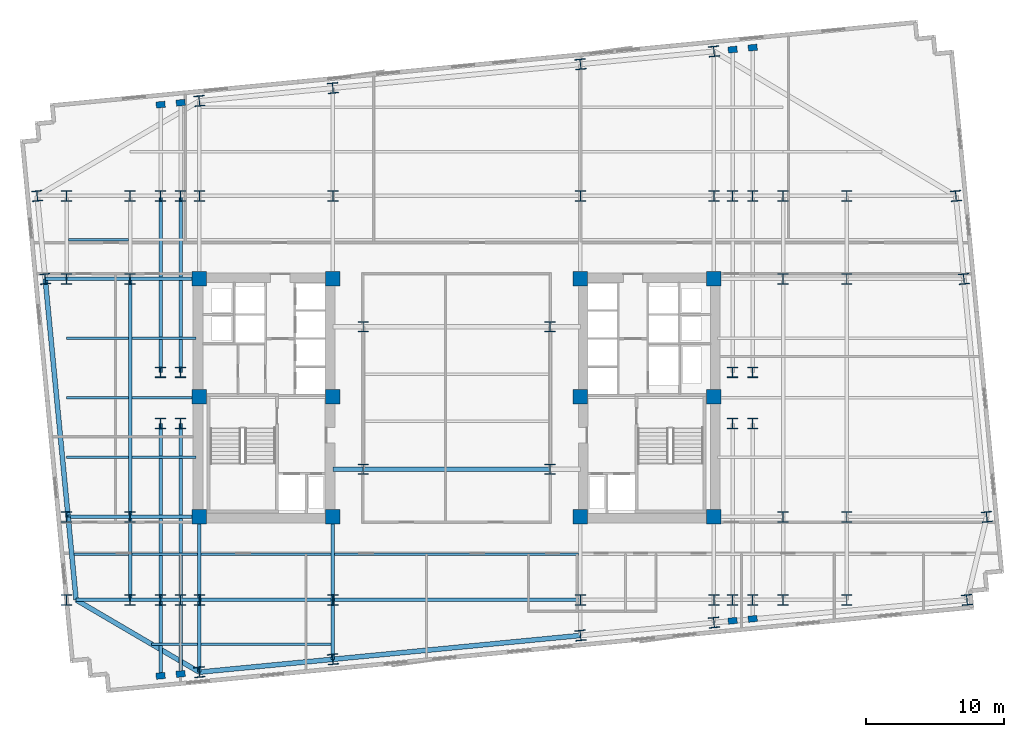
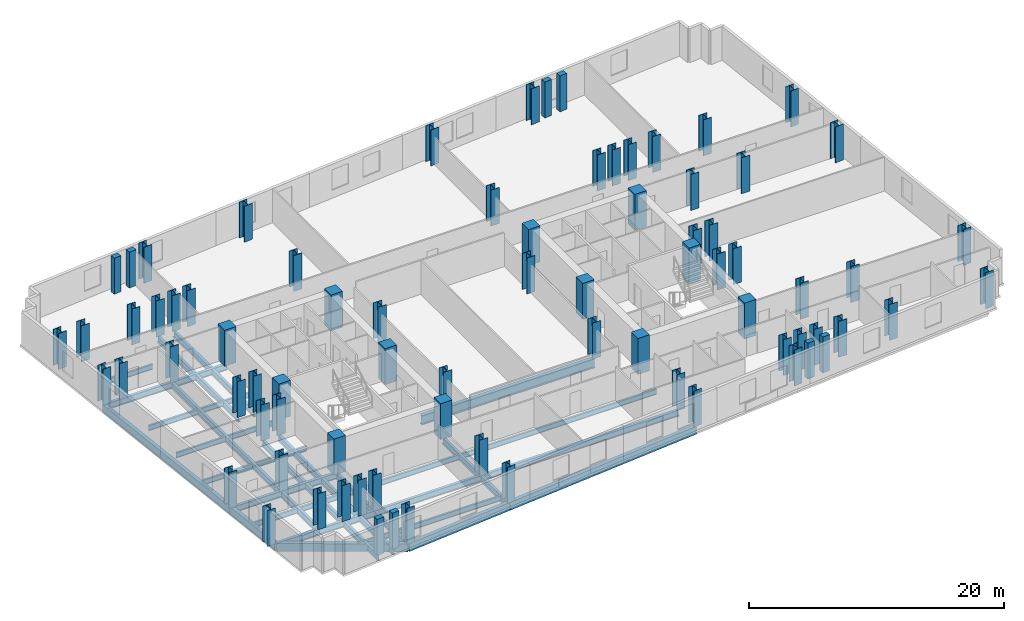
# One storey, part 1 of 10: 78 columns, 41 beams.
"""IFC4 building model written with IfcOpenShell, lengths in metres."""

from ifc_helpers import new_model, si_unit, direction, frame, origin, origin_2d, place, context, subcontext, project, spatial, rectangle, i_section, extrude, material, material_profile, profile_set, type_object, element, save


model = new_model("IFC4")

# Units and contexts
model_context = context("Model", 3, precision=1e-05, world=origin(), true_north=direction((0.0, 1.0)))
body_context = subcontext(model_context, "Body", "Model", "MODEL_VIEW")
ifc_project = project(units=[si_unit("LENGTHUNIT", "METRE"), si_unit("AREAUNIT", "SQUARE_METRE"), si_unit("VOLUMEUNIT", "CUBIC_METRE"), si_unit("PLANEANGLEUNIT", "RADIAN"), si_unit("MASSUNIT", "GRAM", prefix="KILO")], contexts=[model_context])

# Site, building, storey
site_placement = place(None, origin())
site = spatial("IfcSite", under=ifc_project, at=site_placement, CompositionType="ELEMENT")
building_placement = place(site_placement, origin())
building = spatial("IfcBuilding", under=site, at=building_placement, Name="Velakula Bourse", CompositionType="ELEMENT")
storey_placement = place(building_placement, frame((0.0, 0.0, 88.0)))
storey = spatial("IfcBuildingStorey", under=building, at=storey_placement, Name="L23", CompositionType="ELEMENT", Elevation=88.0)

# Columns
ifc_material_1 = material(Name="Concrete M70 (fck 70 MPa)", Category="concrete")
ifc_material_profile_1 = material_profile(ifc_material_1, rectangle(XDim=1.050048828125, YDim=1.050048828125, at=origin_2d()), Name="Concrete M70 (fck 70 MPa)")
ifc_profile_set_1 = profile_set([ifc_material_profile_1], Name="Concrete M70 (fck 70 MPa)")
column_type_1 = type_object("IfcColumnType", Name="COL-RC-1050", PredefinedType="COLUMN", material=ifc_profile_set_1)
for number, where, z_axis, x_axis, name in (
    (1, (-8.949951171875, -8.60009765625, 0.0), (0.0, 0.0, 1.0), (1.0, 0.0, 0.0), "L23 Core Boundary Column 01"),
    (2, (-8.949951171875, 0.10009765625, 0.0), (0.0, 0.0, 1.0), (1.0, 0.0, 0.0), "L23 Core Boundary Column 02"),
    (3, (-8.949951171875, 8.60009765625, 0.0), (0.0, 0.0, 1.0), (1.0, 0.0, 0.0), "L23 Core Boundary Column 03"),
    (4, (-18.60009765625, -8.60009765625, 0.0), (0.0, 0.0, 1.0), (1.0, 0.0, 0.0), "L23 Core Boundary Column 04"),
    (5, (-18.60009765625, 0.10009765625, 0.0), (0.0, 0.0, 1.0), (1.0, 0.0, 0.0), "L23 Core Boundary Column 05"),
    (6, (-18.60009765625, 8.60009765625, 0.0), (0.0, 0.0, 1.0), (1.0, 0.0, 0.0), "L23 Core Boundary Column 06"),
    (7, (8.949951171875, -8.60009765625, 0.0), (0.0, 0.0, 1.0), (1.0, 0.0, 0.0), "L23 Core Boundary Column 07"),
    (8, (8.949951171875, 0.10009765625, 0.0), (0.0, 0.0, 1.0), (1.0, 0.0, 0.0), "L23 Core Boundary Column 08"),
    (9, (8.949951171875, 8.60009765625, 0.0), (0.0, 0.0, 1.0), (1.0, 0.0, 0.0), "L23 Core Boundary Column 09"),
    (10, (18.60009765625, -8.60009765625, 0.0), (0.0, 0.0, 1.0), (1.0, 0.0, 0.0), "L23 Core Boundary Column 10"),
    (11, (18.60009765625, 0.10009765625, 0.0), (0.0, 0.0, 1.0), (1.0, 0.0, 0.0), "L23 Core Boundary Column 11"),
    (12, (18.60009765625, 8.60009765625, 0.0), (0.0, 0.0, 1.0), (1.0, 0.0, 0.0), "L23 Core Boundary Column 12"),
):
    element("IfcColumn", number, at=place(storey_placement, frame(where, z_axis=z_axis, x_axis=x_axis)), inside=storey, type_object=column_type_1, Name=name, PredefinedType="COLUMN", context=body_context, shape_type="SweptSolid", body=[
        extrude(rectangle(XDim=1.050048828125, YDim=1.050048828125, at=origin_2d()), origin(), (0.0, 0.0, 1.0), 3.449951171875),
    ])
ifc_material_2 = material(Name="Steel IS 2062 Grade 450 (E450)", Category="steel")
ifc_material_profile_2 = material_profile(ifc_material_2, i_section(OverallWidth=0.75, OverallDepth=0.75, WebThickness=0.030029296875, FlangeThickness=0.0439453125, at=origin_2d()), Name="Steel IS 2062 Grade 450 (E450)")
ifc_profile_set_2 = profile_set([ifc_material_profile_2], Name="Steel IS 2062 Grade 450 (E450)")
column_type_2 = type_object("IfcColumnType", Name="COL-STL-750", PredefinedType="COLUMN", material=ifc_profile_set_2)
for number, where, z_axis, x_axis, name in (
    (13, (-6.75, -5.14990234375, 0.0), (0.0, 0.0, 1.0), (1.0, 0.0, 0.0), "L23 Central Spine Column 01"),
    (14, (-6.75, 5.14990234375, 0.0), (0.0, 0.0, 1.0), (1.0, 0.0, 0.0), "L23 Central Spine Column 02"),
    (15, (6.75, -5.14990234375, 0.0), (0.0, 0.0, 1.0), (1.0, 0.0, 0.0), "L23 Central Spine Column 03"),
    (16, (6.75, 5.14990234375, 0.0), (0.0, 0.0, 1.0), (1.0, 0.0, 0.0), "L23 Central Spine Column 04"),
    (17, (-21.39990234375, -14.60009765625, 0.0), (0.0, 0.0, 1.0), (1.0, 0.0, 0.0), "L23 Tower Fulcrum Column 01"),
    (18, (-21.39990234375, 14.60009765625, 0.0), (0.0, 0.0, 1.0), (1.0, 0.0, 0.0), "L23 Tower Fulcrum Column 02"),
    (19, (-19.949951171875, -14.60009765625, 0.0), (0.0, 0.0, 1.0), (1.0, 0.0, 0.0), "L23 Tower Fulcrum Column 03"),
    (20, (-19.949951171875, 14.60009765625, 0.0), (0.0, 0.0, 1.0), (1.0, 0.0, 0.0), "L23 Tower Fulcrum Column 04"),
    (21, (-18.60009765625, -14.60009765625, 0.0), (0.0, 0.0, 1.0), (1.0, 0.0, 0.0), "L23 Tower Fulcrum Column 05"),
    (22, (-18.60009765625, 14.60009765625, 0.0), (0.0, 0.0, 1.0), (1.0, 0.0, 0.0), "L23 Tower Fulcrum Column 06"),
    (23, (-8.949951171875, -14.60009765625, 0.0), (0.0, 0.0, 1.0), (1.0, 0.0, 0.0), "L23 Tower Fulcrum Column 07"),
    (24, (-8.949951171875, 14.60009765625, 0.0), (0.0, 0.0, 1.0), (1.0, 0.0, 0.0), "L23 Tower Fulcrum Column 08"),
    (25, (8.949951171875, -14.60009765625, 0.0), (0.0, 0.0, 1.0), (1.0, 0.0, 0.0), "L23 Tower Fulcrum Column 09"),
    (26, (8.949951171875, 14.60009765625, 0.0), (0.0, 0.0, 1.0), (1.0, 0.0, 0.0), "L23 Tower Fulcrum Column 10"),
    (27, (18.60009765625, -14.60009765625, 0.0), (0.0, 0.0, 1.0), (1.0, 0.0, 0.0), "L23 Tower Fulcrum Column 11"),
    (28, (18.60009765625, 14.60009765625, 0.0), (0.0, 0.0, 1.0), (1.0, 0.0, 0.0), "L23 Tower Fulcrum Column 12"),
    (29, (19.949951171875, -14.60009765625, 0.0), (0.0, 0.0, 1.0), (1.0, 0.0, 0.0), "L23 Tower Fulcrum Column 13"),
    (30, (19.949951171875, 14.60009765625, 0.0), (0.0, 0.0, 1.0), (1.0, 0.0, 0.0), "L23 Tower Fulcrum Column 14"),
    (31, (21.39990234375, -14.60009765625, 0.0), (0.0, 0.0, 1.0), (1.0, 0.0, 0.0), "L23 Tower Fulcrum Column 15"),
    (32, (21.39990234375, 14.60009765625, 0.0), (0.0, 0.0, 1.0), (1.0, 0.0, 0.0), "L23 Tower Fulcrum Column 16"),
    (33, (-21.39990234375, -1.85009765625, 0.0), (0.0, 0.0, 1.0), (1.0, 0.0, 0.0), "L23 Tower Fulcrum Column 17"),
    (34, (-21.39990234375, 1.85009765625, 0.0), (0.0, 0.0, 1.0), (1.0, 0.0, 0.0), "L23 Tower Fulcrum Column 18"),
    (35, (-19.949951171875, -1.85009765625, 0.0), (0.0, 0.0, 1.0), (1.0, 0.0, 0.0), "L23 Tower Fulcrum Column 19"),
    (36, (-19.949951171875, 1.85009765625, 0.0), (0.0, 0.0, 1.0), (1.0, 0.0, 0.0), "L23 Tower Fulcrum Column 20"),
    (37, (19.949951171875, -1.85009765625, 0.0), (0.0, 0.0, 1.0), (1.0, 0.0, 0.0), "L23 Tower Fulcrum Column 21"),
    (38, (19.949951171875, 1.85009765625, 0.0), (0.0, 0.0, 1.0), (1.0, 0.0, 0.0), "L23 Tower Fulcrum Column 22"),
    (39, (21.39990234375, -1.85009765625, 0.0), (0.0, 0.0, 1.0), (1.0, 0.0, 0.0), "L23 Tower Fulcrum Column 23"),
    (40, (21.39990234375, 1.85009765625, 0.0), (0.0, 0.0, 1.0), (1.0, 0.0, 0.0), "L23 Tower Fulcrum Column 24"),
    (41, (-23.60009765625, -14.60009765625, 0.0), (0.0, 0.0, 1.0), (1.0, 0.0, 0.0), "L23 Mid-Wing Plumb Column 01"),
    (42, (-23.60009765625, -8.60009765625, 0.0), (0.0, 0.0, 1.0), (1.0, 0.0, 0.0), "L23 Mid-Wing Plumb Column 02"),
    (43, (-23.60009765625, 8.60009765625, 0.0), (0.0, 0.0, 1.0), (1.0, 0.0, 0.0), "L23 Mid-Wing Plumb Column 03"),
    (44, (-23.60009765625, 14.60009765625, 0.0), (0.0, 0.0, 1.0), (1.0, 0.0, 0.0), "L23 Mid-Wing Plumb Column 04"),
    (45, (23.60009765625, -14.60009765625, 0.0), (0.0, 0.0, 1.0), (1.0, 0.0, 0.0), "L23 Mid-Wing Plumb Column 05"),
    (46, (23.60009765625, -8.60009765625, 0.0), (0.0, 0.0, 1.0), (1.0, 0.0, 0.0), "L23 Mid-Wing Plumb Column 06"),
    (47, (23.60009765625, 8.60009765625, 0.0), (0.0, 0.0, 1.0), (1.0, 0.0, 0.0), "L23 Mid-Wing Plumb Column 07"),
    (48, (23.60009765625, 14.60009765625, 0.0), (0.0, 0.0, 1.0), (1.0, 0.0, 0.0), "L23 Mid-Wing Plumb Column 08"),
    (49, (-28.199951171875, -14.60009765625, 0.0), (0.0, 0.0, 1.0), (1.0, 0.0, 0.0), "L23 Lower Wing Column 01"),
    (50, (-28.199951171875, -8.60009765625, 0.0), (0.0, 0.0, 1.0), (1.0, 0.0, 0.0), "L23 Lower Wing Column 02"),
    (51, (-28.199951171875, 8.60009765625, 0.0), (0.0, 0.0, 1.0), (1.0, 0.0, 0.0), "L23 Lower Wing Column 03"),
    (52, (-28.199951171875, 14.60009765625, 0.0), (0.0, 0.0, 1.0), (1.0, 0.0, 0.0), "L23 Lower Wing Column 04"),
    (53, (28.199951171875, -14.60009765625, 0.0), (0.0, 0.0, 1.0), (1.0, 0.0, 0.0), "L23 Lower Wing Column 05"),
    (54, (28.199951171875, -8.60009765625, 0.0), (0.0, 0.0, 1.0), (1.0, 0.0, 0.0), "L23 Lower Wing Column 06"),
    (55, (28.199951171875, 8.60009765625, 0.0), (0.0, 0.0, 1.0), (1.0, 0.0, 0.0), "L23 Lower Wing Column 07"),
    (56, (28.199951171875, 14.60009765625, 0.0), (0.0, 0.0, 1.0), (1.0, 0.0, 0.0), "L23 Lower Wing Column 08"),
    (57, (-18.60009765625, -19.8212890625, 0.0), (0.0, 0.0, 1.0), (0.995396198367, 0.09584575252, 0.0), "L23 Block B2 Perimeter Column S1"),
    (58, (-8.949951171875, -18.89208984375, 0.0), (0.0, 0.0, 1.0), (0.995396198367, 0.09584575252, 0.0), "L23 Block B2 Perimeter Column S2"),
    (59, (8.949951171875, -17.16845703125, 0.0), (0.0, 0.0, 1.0), (0.995396198367, 0.09584575252, 0.0), "L23 Block B2 Perimeter Column S3"),
    (60, (18.60009765625, -16.2392578125, 0.0), (0.0, 0.0, 1.0), (0.995396198367, 0.09584575252, 0.0), "L23 Block B2 Perimeter Column S4"),
    (61, (-18.60009765625, 21.468994140625, 0.0), (0.0, 0.0, 1.0), (0.995396198367, 0.09584575252, 0.0), "L23 Block B2 Perimeter Column N1"),
    (62, (-8.949951171875, 22.398193359375, 0.0), (0.0, 0.0, 1.0), (0.995396198367, 0.09584575252, 0.0), "L23 Block B2 Perimeter Column N2"),
    (63, (8.949951171875, 24.12158203125, 0.0), (0.0, 0.0, 1.0), (0.995396198367, 0.09584575252, 0.0), "L23 Block B2 Perimeter Column N3"),
    (64, (18.60009765625, 25.05078125, 0.0), (0.0, 0.0, 1.0), (0.995396198367, 0.09584575252, 0.0), "L23 Block B2 Perimeter Column N4"),
    (65, (-29.7421875, 8.60009765625, 0.0), (0.0, 0.0, 1.0), (0.995396198367, 0.09584575252, 0.0), "L23 Block B2 Perimeter Column W3"),
    (66, (-30.31982421875, 14.60009765625, 0.0), (0.0, 0.0, 1.0), (0.995396198367, 0.09584575252, 0.0), "L23 Block B2 Perimeter Column W4"),
    (67, (36.88818359375, -14.60009765625, 0.0), (0.0, 0.0, 1.0), (0.995396198367, 0.09584575252, 0.0), "L23 Block B2 Perimeter Column E1"),
    (68, (38.31982421875, -8.60009765625, 0.0), (0.0, 0.0, 1.0), (0.995396198367, 0.09584575252, 0.0), "L23 Block B2 Perimeter Column E2"),
    (69, (36.66357421875, 8.60009765625, 0.0), (0.0, 0.0, 1.0), (0.995396198367, 0.09584575252, 0.0), "L23 Block B2 Perimeter Column E3"),
    (70, (36.0859375, 14.60009765625, 0.0), (0.0, 0.0, 1.0), (0.995396198367, 0.09584575252, 0.0), "L23 Block B2 Perimeter Column E4"),
):
    element("IfcColumn", number, at=place(storey_placement, frame(where, z_axis=z_axis, x_axis=x_axis)), inside=storey, type_object=column_type_2, Name=name, PredefinedType="COLUMN", context=body_context, shape_type="SweptSolid", body=[
        extrude(i_section(OverallWidth=0.75, OverallDepth=0.75, WebThickness=0.030029296875, FlangeThickness=0.0439453125, at=origin_2d()), origin(), (0.0, 0.0, 1.0), 3.449951171875),
    ])
ifc_material_3 = material(Name="Precast concrete M45 (fck 45 MPa)", Category="concrete")
ifc_material_profile_3 = material_profile(ifc_material_3, rectangle(XDim=0.64990234375, YDim=0.449951171875, at=origin_2d()), Name="Precast concrete M45 (fck 45 MPa)")
ifc_profile_set_3 = profile_set([ifc_material_profile_3], Name="Precast concrete M45 (fck 45 MPa)")
column_type_3 = type_object("IfcColumnType", Name="PIL-BRICK-650", PredefinedType="PILASTER", material=ifc_profile_set_3)
for number, where, z_axis, x_axis, name in (
    (71, (-21.39990234375, -20.0908203125, 0.0), (0.0, 0.0, 1.0), (0.995396198367, 0.09584575252, 0.0), "L23 Brick Pier Pilaster 01"),
    (72, (-19.949951171875, -19.951171875, 0.0), (0.0, 0.0, 1.0), (0.995396198367, 0.09584575252, 0.0), "L23 Brick Pier Pilaster 02"),
    (73, (19.949951171875, -16.109130859375, 0.0), (0.0, 0.0, 1.0), (0.995396198367, 0.09584575252, 0.0), "L23 Brick Pier Pilaster 03"),
    (74, (21.39990234375, -15.969482421875, 0.0), (0.0, 0.0, 1.0), (0.995396198367, 0.09584575252, 0.0), "L23 Brick Pier Pilaster 04"),
    (75, (-21.39990234375, 21.19921875, 0.0), (0.0, 0.0, 1.0), (0.995396198367, 0.09584575252, 0.0), "L23 Brick Pier Pilaster 05"),
    (76, (-19.949951171875, 21.3388671875, 0.0), (0.0, 0.0, 1.0), (0.995396198367, 0.09584575252, 0.0), "L23 Brick Pier Pilaster 06"),
    (77, (19.949951171875, 25.180908203125, 0.0), (0.0, 0.0, 1.0), (0.995396198367, 0.09584575252, 0.0), "L23 Brick Pier Pilaster 07"),
    (78, (21.39990234375, 25.320556640625, 0.0), (0.0, 0.0, 1.0), (0.995396198367, 0.09584575252, 0.0), "L23 Brick Pier Pilaster 08"),
):
    element("IfcColumn", number, at=place(storey_placement, frame(where, z_axis=z_axis, x_axis=x_axis)), inside=storey, type_object=column_type_3, Name=name, PredefinedType="PILASTER", context=body_context, shape_type="SweptSolid", body=[
        extrude(rectangle(XDim=0.64990234375, YDim=0.449951171875, at=origin_2d()), origin(), (0.0, 0.0, 1.0), 3.449951171875),
    ])

# Beams
ifc_material_4 = material(Name="Steel IS 2062 Grade 350 (E350)", Category="steel")
ifc_material_profile_4 = material_profile(ifc_material_4, i_section(OverallWidth=0.25, OverallDepth=0.60009765625, WebThickness=0.01171875, FlangeThickness=0.023681640625, at=origin_2d()), Name="Steel IS 2062 Grade 350 (E350)")
ifc_profile_set_4 = profile_set([ifc_material_profile_4], Name="Steel IS 2062 Grade 350 (E350)")
beam_type_1 = type_object("IfcBeamType", Name="BM-GRD-600H", PredefinedType="BEAM", material=ifc_profile_set_4)
for number, where, z_axis, x_axis, name in (
    (79, (-18.60009765625, -14.60009765625, -0.47998046875), (0.0, 1.0, 0.0), (-1.0, 0.0, 0.0), "L23 Fulcrum Grid Girder FLC-WS"),
    (80, (-8.949951171875, -14.60009765625, -0.47998046875), (0.0, 1.0, 0.0), (-1.0, 0.0, 0.0), "L23 Fulcrum Grid Girder FLC-WCS"),
):
    element("IfcBeam", number, at=place(storey_placement, frame(where, z_axis=z_axis, x_axis=x_axis)), inside=storey, type_object=beam_type_1, Name=name, PredefinedType="BEAM", context=body_context, shape_type="SweptSolid", body=[
        extrude(i_section(OverallWidth=0.25, OverallDepth=0.60009765625, WebThickness=0.01171875, FlangeThickness=0.023681640625, at=origin_2d()), origin(), (0.0, 0.0, 1.0), 6.0),
    ])
beam_1_placement = place(storey_placement, frame((-18.60009765625, -14.60009765625, -0.47998046875), z_axis=(1.0, 0.0, 0.0), x_axis=(0.0, 1.0, 0.0)))
element("IfcBeam", 81, at=beam_1_placement, inside=storey, type_object=beam_type_1, Name="L23 Fulcrum Grid Girder FLC-S1", PredefinedType="BEAM", context=body_context, shape_type="SweptSolid", body=[
    extrude(i_section(OverallWidth=0.25, OverallDepth=0.60009765625, WebThickness=0.01171875, FlangeThickness=0.023681640625, at=origin_2d()), origin(), (0.0, 0.0, 1.0), 9.650146484375),
])
beam_2_placement = place(storey_placement, frame((-8.949951171875, -14.60009765625, -0.47998046875), z_axis=(1.0, 0.0, 0.0), x_axis=(0.0, 1.0, 0.0)))
element("IfcBeam", 82, at=beam_2_placement, inside=storey, type_object=beam_type_1, Name="L23 Fulcrum Grid Girder FLC-S2", PredefinedType="BEAM", context=body_context, shape_type="SweptSolid", body=[
    extrude(i_section(OverallWidth=0.25, OverallDepth=0.60009765625, WebThickness=0.01171875, FlangeThickness=0.023681640625, at=origin_2d()), origin(), (0.0, 0.0, 1.0), 17.89990234375),
])
for number, where, z_axis, x_axis, name in (
    (83, (-21.39990234375, -14.60009765625, -0.47998046875), (0.0, 1.0, 0.0), (-1.0, 0.0, 0.0), "L23 Fulcrum Grid Girder FLC-PSW1"),
    (84, (-21.39990234375, 1.85009765625, -0.47998046875), (0.0, 1.0, 0.0), (-1.0, 0.0, 0.0), "L23 Fulcrum Grid Girder FLC-PNW1"),
    (85, (-19.949951171875, -14.60009765625, -0.47998046875), (0.0, 1.0, 0.0), (-1.0, 0.0, 0.0), "L23 Fulcrum Grid Girder FLC-PSW2"),
    (86, (-19.949951171875, 1.85009765625, -0.47998046875), (0.0, 1.0, 0.0), (-1.0, 0.0, 0.0), "L23 Fulcrum Grid Girder FLC-PNW2"),
):
    element("IfcBeam", number, at=place(storey_placement, frame(where, z_axis=z_axis, x_axis=x_axis)), inside=storey, type_object=beam_type_1, Name=name, PredefinedType="BEAM", context=body_context, shape_type="SweptSolid", body=[
        extrude(i_section(OverallWidth=0.25, OverallDepth=0.60009765625, WebThickness=0.01171875, FlangeThickness=0.023681640625, at=origin_2d()), origin(), (0.0, 0.0, 1.0), 12.75),
    ])
for number, where, z_axis, x_axis, name in (
    (87, (-23.60009765625, -14.60009765625, -0.47998046875), (1.0, 0.0, 0.0), (0.0, 1.0, 0.0), "L23 Fulcrum Grid Girder MWG-WS1"),
    (88, (-23.60009765625, -8.60009765625, -0.47998046875), (1.0, 0.0, 0.0), (0.0, 1.0, 0.0), "L23 Fulcrum Grid Girder MWG-WS2"),
    (89, (-23.60009765625, 8.60009765625, -0.47998046875), (1.0, 0.0, 0.0), (0.0, 1.0, 0.0), "L23 Fulcrum Grid Girder MWG-WN1"),
):
    element("IfcBeam", number, at=place(storey_placement, frame(where, z_axis=z_axis, x_axis=x_axis)), inside=storey, type_object=beam_type_1, Name=name, PredefinedType="BEAM", context=body_context, shape_type="SweptSolid", body=[
        extrude(i_section(OverallWidth=0.25, OverallDepth=0.60009765625, WebThickness=0.01171875, FlangeThickness=0.023681640625, at=origin_2d()), origin(), (0.0, 0.0, 1.0), 5.0),
    ])
beam_3_placement = place(storey_placement, frame((-23.60009765625, -14.60009765625, -0.47998046875), z_axis=(0.0, 1.0, 0.0), x_axis=(-1.0, 0.0, 0.0)))
element("IfcBeam", 90, at=beam_3_placement, inside=storey, type_object=beam_type_1, Name="L23 Fulcrum Grid Girder MWG-WNS1", PredefinedType="BEAM", context=body_context, shape_type="SweptSolid", body=[
    extrude(i_section(OverallWidth=0.25, OverallDepth=0.60009765625, WebThickness=0.01171875, FlangeThickness=0.023681640625, at=origin_2d()), origin(), (0.0, 0.0, 1.0), 6.0),
])
beam_4_placement = place(storey_placement, frame((-23.60009765625, -8.60009765625, -0.47998046875), z_axis=(0.0, 1.0, 0.0), x_axis=(-1.0, 0.0, 0.0)))
element("IfcBeam", 91, at=beam_4_placement, inside=storey, type_object=beam_type_1, Name="L23 Fulcrum Grid Girder MWG-WNS2", PredefinedType="BEAM", context=body_context, shape_type="SweptSolid", body=[
    extrude(i_section(OverallWidth=0.25, OverallDepth=0.60009765625, WebThickness=0.01171875, FlangeThickness=0.023681640625, at=origin_2d()), origin(), (0.0, 0.0, 1.0), 17.2001953125),
])
beam_5_placement = place(storey_placement, frame((-27.50830078125, -14.60009765625, -0.47998046875), z_axis=(1.0, 0.0, 0.0), x_axis=(0.0, 1.0, 0.0)))
element("IfcBeam", 92, at=beam_5_placement, inside=storey, type_object=beam_type_1, Name="L23 Fulcrum Grid Girder WNG-WS1", PredefinedType="BEAM", context=body_context, shape_type="SweptSolid", body=[
    extrude(i_section(OverallWidth=0.25, OverallDepth=0.60009765625, WebThickness=0.01171875, FlangeThickness=0.023681640625, at=origin_2d()), origin(), (0.0, 0.0, 1.0), 3.908203125),
])
beam_6_placement = place(storey_placement, frame((-28.0859375, -8.60009765625, -0.47998046875), z_axis=(1.0, 0.0, 0.0), x_axis=(0.0, 1.0, 0.0)))
element("IfcBeam", 93, at=beam_6_placement, inside=storey, type_object=beam_type_1, Name="L23 Fulcrum Grid Girder WNG-WS2", PredefinedType="BEAM", context=body_context, shape_type="SweptSolid", body=[
    extrude(i_section(OverallWidth=0.25, OverallDepth=0.60009765625, WebThickness=0.01171875, FlangeThickness=0.023681640625, at=origin_2d()), origin(), (0.0, 0.0, 1.0), 4.48583984375),
])
beam_7_placement = place(storey_placement, frame((-28.199951171875, 8.60009765625, -0.47998046875), z_axis=(1.0, 0.0, 0.0), x_axis=(0.0, 1.0, 0.0)))
element("IfcBeam", 94, at=beam_7_placement, inside=storey, type_object=beam_type_1, Name="L23 Fulcrum Grid Girder WNG-WN1", PredefinedType="BEAM", context=body_context, shape_type="SweptSolid", body=[
    extrude(i_section(OverallWidth=0.25, OverallDepth=0.60009765625, WebThickness=0.01171875, FlangeThickness=0.023681640625, at=origin_2d()), origin(), (0.0, 0.0, 1.0), 4.599853515625),
])
beam_8_placement = place(storey_placement, frame((-18.60009765625, -14.60009765625, -0.47998046875), z_axis=(0.0, -1.0, 0.0), x_axis=(1.0, 0.0, 0.0)))
element("IfcBeam", 95, at=beam_8_placement, inside=storey, type_object=beam_type_1, Name="L23 Perimeter Tie Girder S1", PredefinedType="BEAM", context=body_context, shape_type="SweptSolid", body=[
    extrude(i_section(OverallWidth=0.25, OverallDepth=0.60009765625, WebThickness=0.01171875, FlangeThickness=0.023681640625, at=origin_2d()), origin(), (0.0, 0.0, 1.0), 5.22119140625),
])
beam_9_placement = place(storey_placement, frame((-8.949951171875, -14.60009765625, -0.47998046875), z_axis=(0.0, -1.0, 0.0), x_axis=(1.0, 0.0, 0.0)))
element("IfcBeam", 96, at=beam_9_placement, inside=storey, type_object=beam_type_1, Name="L23 Perimeter Tie Girder S2", PredefinedType="BEAM", context=body_context, shape_type="SweptSolid", body=[
    extrude(i_section(OverallWidth=0.25, OverallDepth=0.60009765625, WebThickness=0.01171875, FlangeThickness=0.023681640625, at=origin_2d()), origin(), (0.0, 0.0, 1.0), 4.2919921875),
])
beam_10_placement = place(storey_placement, frame((-28.199951171875, 8.60009765625, -0.47998046875), z_axis=(-1.0, 0.0, 0.0), x_axis=(0.0, -1.0, 0.0)))
element("IfcBeam", 97, at=beam_10_placement, inside=storey, type_object=beam_type_1, Name="L23 Perimeter Tie Girder W3", PredefinedType="BEAM", context=body_context, shape_type="SweptSolid", body=[
    extrude(i_section(OverallWidth=0.25, OverallDepth=0.60009765625, WebThickness=0.01171875, FlangeThickness=0.023681640625, at=origin_2d()), origin(), (0.0, 0.0, 1.0), 1.542236328125),
])
beam_11_placement = place(storey_placement, frame((-21.39990234375, -14.60009765625, -0.47998046875), z_axis=(0.0, -1.0, 0.0), x_axis=(1.0, 0.0, 0.0)))
element("IfcBeam", 98, at=beam_11_placement, inside=storey, type_object=beam_type_1, Name="L23 Perimeter Tie Girder P01", PredefinedType="BEAM", context=body_context, shape_type="SweptSolid", body=[
    extrude(i_section(OverallWidth=0.25, OverallDepth=0.60009765625, WebThickness=0.01171875, FlangeThickness=0.023681640625, at=origin_2d()), origin(), (0.0, 0.0, 1.0), 5.49072265625),
])
beam_12_placement = place(storey_placement, frame((-19.949951171875, -14.60009765625, -0.47998046875), z_axis=(0.0, -1.0, 0.0), x_axis=(1.0, 0.0, 0.0)))
element("IfcBeam", 99, at=beam_12_placement, inside=storey, type_object=beam_type_1, Name="L23 Perimeter Tie Girder P02", PredefinedType="BEAM", context=body_context, shape_type="SweptSolid", body=[
    extrude(i_section(OverallWidth=0.25, OverallDepth=0.60009765625, WebThickness=0.01171875, FlangeThickness=0.023681640625, at=origin_2d()), origin(), (0.0, 0.0, 1.0), 5.35107421875),
])
ifc_material_profile_5 = material_profile(ifc_material_4, i_section(OverallWidth=0.35009765625, OverallDepth=0.89990234375, WebThickness=0.02001953125, FlangeThickness=0.031982421875, at=origin_2d()), Name="Steel IS 2062 Grade 350 (E350)")
ifc_profile_set_5 = profile_set([ifc_material_profile_5], Name="Steel IS 2062 Grade 350 (E350)")
beam_type_2 = type_object("IfcBeamType", Name="BM-LNK-900", PredefinedType="BEAM", material=ifc_profile_set_5)
beam_13_placement = place(storey_placement, frame((-8.949951171875, -5.14990234375, -0.6298828125), z_axis=(1.0, 0.0, 0.0), x_axis=(0.0, 1.0, 0.0)))
element("IfcBeam", 100, at=beam_13_placement, inside=storey, type_object=beam_type_2, Name="L23 Primary Backbone Girder LNK-S1", PredefinedType="BEAM", context=body_context, shape_type="SweptSolid", body=[
    extrude(i_section(OverallWidth=0.35009765625, OverallDepth=0.89990234375, WebThickness=0.02001953125, FlangeThickness=0.031982421875, at=origin_2d()), origin(), (0.0, 0.0, 1.0), 2.199951171875),
])
beam_14_placement = place(storey_placement, frame((-6.75, -5.14990234375, -0.6298828125), z_axis=(1.0, 0.0, 0.0), x_axis=(0.0, 1.0, 0.0)))
element("IfcBeam", 101, at=beam_14_placement, inside=storey, type_object=beam_type_2, Name="L23 Primary Backbone Girder LNK-S2", PredefinedType="BEAM", context=body_context, shape_type="SweptSolid", body=[
    extrude(i_section(OverallWidth=0.35009765625, OverallDepth=0.89990234375, WebThickness=0.02001953125, FlangeThickness=0.031982421875, at=origin_2d()), origin(), (0.0, 0.0, 1.0), 13.5),
])
ifc_material_profile_6 = material_profile(ifc_material_4, i_section(OverallWidth=0.179931640625, OverallDepth=0.5, WebThickness=0.01025390625, FlangeThickness=0.01708984375, at=origin_2d()), Name="Steel IS 2062 Grade 350 (E350)")
ifc_profile_set_6 = profile_set([ifc_material_profile_6], Name="Steel IS 2062 Grade 350 (E350)")
beam_type_3 = type_object("IfcBeamType", Name="JST-TWR-500", PredefinedType="JOIST", material=ifc_profile_set_6)
beam_15_placement = place(storey_placement, frame((-22.048583984375, -17.800048828125, -0.429931640625), z_axis=(1.0, 0.0, 0.0), x_axis=(0.0, 1.0, 0.0)))
element("IfcBeam", 102, at=beam_15_placement, inside=storey, type_object=beam_type_3, Name="L23 Trading Floor Composite Joist 01", PredefinedType="JOIST", context=body_context, shape_type="SweptSolid", body=[
    extrude(i_section(OverallWidth=0.179931640625, OverallDepth=0.5, WebThickness=0.01025390625, FlangeThickness=0.01708984375, at=origin_2d()), origin(), (0.0, 0.0, 1.0), 3.323486328125),
])
beam_16_placement = place(storey_placement, frame((-18.47509765625, -17.800048828125, -0.429931640625), z_axis=(1.0, 0.0, 0.0), x_axis=(0.0, 1.0, 0.0)))
element("IfcBeam", 103, at=beam_16_placement, inside=storey, type_object=beam_type_3, Name="L23 Trading Floor Composite Joist 02", PredefinedType="JOIST", context=body_context, shape_type="SweptSolid", body=[
    extrude(i_section(OverallWidth=0.179931640625, OverallDepth=0.5, WebThickness=0.01025390625, FlangeThickness=0.01708984375, at=origin_2d()), origin(), (0.0, 0.0, 1.0), 9.400146484375),
])
beam_17_placement = place(storey_placement, frame((-27.650146484375, -11.300048828125, -0.429931640625), z_axis=(1.0, 0.0, 0.0), x_axis=(0.0, 1.0, 0.0)))
element("IfcBeam", 104, at=beam_17_placement, inside=storey, type_object=beam_type_3, Name="L23 Trading Floor Composite Joist 04", PredefinedType="JOIST", context=body_context, shape_type="SweptSolid", body=[
    extrude(i_section(OverallWidth=0.179931640625, OverallDepth=0.5, WebThickness=0.01025390625, FlangeThickness=0.01708984375, at=origin_2d()), origin(), (0.0, 0.0, 1.0), 3.925048828125),
])
beam_18_placement = place(storey_placement, frame((-23.47509765625, -11.300048828125, -0.429931640625), z_axis=(1.0, 0.0, 0.0), x_axis=(0.0, 1.0, 0.0)))
element("IfcBeam", 105, at=beam_18_placement, inside=storey, type_object=beam_type_3, Name="L23 Trading Floor Composite Joist 05", PredefinedType="JOIST", context=body_context, shape_type="SweptSolid", body=[
    extrude(i_section(OverallWidth=0.179931640625, OverallDepth=0.5, WebThickness=0.01025390625, FlangeThickness=0.01708984375, at=origin_2d()), origin(), (0.0, 0.0, 1.0), 4.75),
])
beam_19_placement = place(storey_placement, frame((-18.47509765625, -11.300048828125, -0.429931640625), z_axis=(1.0, 0.0, 0.0), x_axis=(0.0, 1.0, 0.0)))
element("IfcBeam", 106, at=beam_19_placement, inside=storey, type_object=beam_type_3, Name="L23 Trading Floor Composite Joist 06", PredefinedType="JOIST", context=body_context, shape_type="SweptSolid", body=[
    extrude(i_section(OverallWidth=0.179931640625, OverallDepth=0.5, WebThickness=0.01025390625, FlangeThickness=0.01708984375, at=origin_2d()), origin(), (0.0, 0.0, 1.0), 9.400146484375),
])
beam_20_placement = place(storey_placement, frame((-8.824951171875, -11.300048828125, -0.429931640625), z_axis=(1.0, 0.0, 0.0), x_axis=(0.0, 1.0, 0.0)))
element("IfcBeam", 107, at=beam_20_placement, inside=storey, type_object=beam_type_3, Name="L23 Trading Floor Composite Joist 07", PredefinedType="JOIST", context=body_context, shape_type="SweptSolid", body=[
    extrude(i_section(OverallWidth=0.179931640625, OverallDepth=0.5, WebThickness=0.01025390625, FlangeThickness=0.01708984375, at=origin_2d()), origin(), (0.0, 0.0, 1.0), 17.64990234375),
])
beam_21_placement = place(storey_placement, frame((-28.074951171875, 11.449951171875, -0.429931640625), z_axis=(1.0, 0.0, 0.0), x_axis=(0.0, 1.0, 0.0)))
element("IfcBeam", 108, at=beam_21_placement, inside=storey, type_object=beam_type_3, Name="L23 Trading Floor Composite Joist 12", PredefinedType="JOIST", context=body_context, shape_type="SweptSolid", body=[
    extrude(i_section(OverallWidth=0.179931640625, OverallDepth=0.5, WebThickness=0.01025390625, FlangeThickness=0.01708984375, at=origin_2d()), origin(), (0.0, 0.0, 1.0), 4.349853515625),
])
beam_22_placement = place(storey_placement, frame((-28.199951171875, -4.300048828125, -0.429931640625), z_axis=(1.0, 0.0, 0.0), x_axis=(0.0, 1.0, 0.0)))
element("IfcBeam", 109, at=beam_22_placement, inside=storey, type_object=beam_type_3, Name="L23 Trading Floor Composite Joist 33", PredefinedType="JOIST", context=body_context, shape_type="SweptSolid", body=[
    extrude(i_section(OverallWidth=0.179931640625, OverallDepth=0.5, WebThickness=0.01025390625, FlangeThickness=0.01708984375, at=origin_2d()), origin(), (0.0, 0.0, 1.0), 4.474853515625),
])
beam_23_placement = place(storey_placement, frame((-23.47509765625, -4.300048828125, -0.429931640625), z_axis=(1.0, 0.0, 0.0), x_axis=(0.0, 1.0, 0.0)))
element("IfcBeam", 110, at=beam_23_placement, inside=storey, type_object=beam_type_3, Name="L23 Trading Floor Composite Joist 34", PredefinedType="JOIST", context=body_context, shape_type="SweptSolid", body=[
    extrude(i_section(OverallWidth=0.179931640625, OverallDepth=0.5, WebThickness=0.01025390625, FlangeThickness=0.01708984375, at=origin_2d()), origin(), (0.0, 0.0, 1.0), 4.625),
])
beam_24_placement = place(storey_placement, frame((-28.199951171875, 0.0, -0.429931640625), z_axis=(1.0, 0.0, 0.0), x_axis=(0.0, 1.0, 0.0)))
element("IfcBeam", 111, at=beam_24_placement, inside=storey, type_object=beam_type_3, Name="L23 Trading Floor Composite Joist 38", PredefinedType="JOIST", context=body_context, shape_type="SweptSolid", body=[
    extrude(i_section(OverallWidth=0.179931640625, OverallDepth=0.5, WebThickness=0.01025390625, FlangeThickness=0.01708984375, at=origin_2d()), origin(), (0.0, 0.0, 1.0), 4.474853515625),
])
beam_25_placement = place(storey_placement, frame((-23.47509765625, 0.0, -0.429931640625), z_axis=(1.0, 0.0, 0.0), x_axis=(0.0, 1.0, 0.0)))
element("IfcBeam", 112, at=beam_25_placement, inside=storey, type_object=beam_type_3, Name="L23 Trading Floor Composite Joist 39", PredefinedType="JOIST", context=body_context, shape_type="SweptSolid", body=[
    extrude(i_section(OverallWidth=0.179931640625, OverallDepth=0.5, WebThickness=0.01025390625, FlangeThickness=0.01708984375, at=origin_2d()), origin(), (0.0, 0.0, 1.0), 4.625),
])
beam_26_placement = place(storey_placement, frame((-28.199951171875, 4.300048828125, -0.429931640625), z_axis=(1.0, 0.0, 0.0), x_axis=(0.0, 1.0, 0.0)))
element("IfcBeam", 113, at=beam_26_placement, inside=storey, type_object=beam_type_3, Name="L23 Trading Floor Composite Joist 43", PredefinedType="JOIST", context=body_context, shape_type="SweptSolid", body=[
    extrude(i_section(OverallWidth=0.179931640625, OverallDepth=0.5, WebThickness=0.01025390625, FlangeThickness=0.01708984375, at=origin_2d()), origin(), (0.0, 0.0, 1.0), 4.474853515625),
])
beam_27_placement = place(storey_placement, frame((-23.47509765625, 4.300048828125, -0.429931640625), z_axis=(1.0, 0.0, 0.0), x_axis=(0.0, 1.0, 0.0)))
element("IfcBeam", 114, at=beam_27_placement, inside=storey, type_object=beam_type_3, Name="L23 Trading Floor Composite Joist 44", PredefinedType="JOIST", context=body_context, shape_type="SweptSolid", body=[
    extrude(i_section(OverallWidth=0.179931640625, OverallDepth=0.5, WebThickness=0.01025390625, FlangeThickness=0.01708984375, at=origin_2d()), origin(), (0.0, 0.0, 1.0), 4.625),
])
ifc_material_profile_7 = material_profile(ifc_material_3, rectangle(XDim=0.35009765625, YDim=0.75, at=origin_2d()), Name="Precast concrete M45 (fck 45 MPa)")
ifc_profile_set_7 = profile_set([ifc_material_profile_7], Name="Precast concrete M45 (fck 45 MPa)")
beam_type_4 = type_object("IfcBeamType", Name="SPN-BRICK-750", PredefinedType="SPANDREL", material=ifc_profile_set_7)
beam_28_placement = place(storey_placement, frame((-18.60009765625, -19.8212890625, -0.554931640625), z_axis=(0.99539623971, 0.095845323155, 0.0), x_axis=(-0.095845323155, 0.99539623971, 0.0)))
element("IfcBeam", 115, at=beam_28_placement, inside=storey, type_object=beam_type_4, Name="L23 Brick-Faced Precast Spandrel S1-S2", PredefinedType="SPANDREL", context=body_context, shape_type="SweptSolid", body=[
    extrude(rectangle(XDim=0.35009765625, YDim=0.75, at=origin_2d()), origin(), (0.0, 0.0, 1.0), 9.69482421875),
])
beam_29_placement = place(storey_placement, frame((-8.949951171875, -18.89208984375, -0.554931640625), z_axis=(0.995395836254, 0.095849513134, 0.0), x_axis=(-0.095849513134, 0.995395836254, 0.0)))
element("IfcBeam", 116, at=beam_29_placement, inside=storey, type_object=beam_type_4, Name="L23 Brick-Faced Precast Spandrel S2-S3", PredefinedType="SPANDREL", context=body_context, shape_type="SweptSolid", body=[
    extrude(rectangle(XDim=0.35009765625, YDim=0.75, at=origin_2d()), origin(), (0.0, 0.0, 1.0), 17.982666015625),
])
beam_30_placement = place(storey_placement, frame((-27.50830078125, -14.60009765625, -0.554931640625), z_axis=(-0.095829714309, 0.995397742541, 0.0), x_axis=(-0.995397742541, -0.095829714309, 0.0)))
element("IfcBeam", 117, at=beam_30_placement, inside=storey, type_object=beam_type_4, Name="L23 Brick-Faced Precast Spandrel W1-W2", PredefinedType="SPANDREL", context=body_context, shape_type="SweptSolid", body=[
    extrude(rectangle(XDim=0.35009765625, YDim=0.75, at=origin_2d()), origin(), (0.0, 0.0, 1.0), 6.02783203125),
])
beam_31_placement = place(storey_placement, frame((-28.0859375, -8.60009765625, -0.554931640625), z_axis=(-0.095849167925, 0.995395869495, 0.0), x_axis=(-0.995395869495, -0.095849167925, 0.0)))
element("IfcBeam", 118, at=beam_31_placement, inside=storey, type_object=beam_type_4, Name="L23 Brick-Faced Precast Spandrel W2-W3", PredefinedType="SPANDREL", context=body_context, shape_type="SweptSolid", body=[
    extrude(rectangle(XDim=0.35009765625, YDim=0.75, at=origin_2d()), origin(), (0.0, 0.0, 1.0), 17.27978515625),
])
beam_32_placement = place(storey_placement, frame((-27.50830078125, -14.60009765625, -0.554931640625), z_axis=(0.862734250413, -0.505657604674, 0.0), x_axis=(0.505657604674, 0.862734250413, 0.0)))
element("IfcBeam", 119, at=beam_32_placement, inside=storey, type_object=beam_type_4, Name="L23 Brick-Faced Precast Spandrel W1-S1", PredefinedType="SPANDREL", context=body_context, shape_type="SweptSolid", body=[
    extrude(rectangle(XDim=0.35009765625, YDim=0.75, at=origin_2d()), origin(), (0.0, 0.0, 1.0), 10.325439453125),
])

save(model, "model.ifc")
